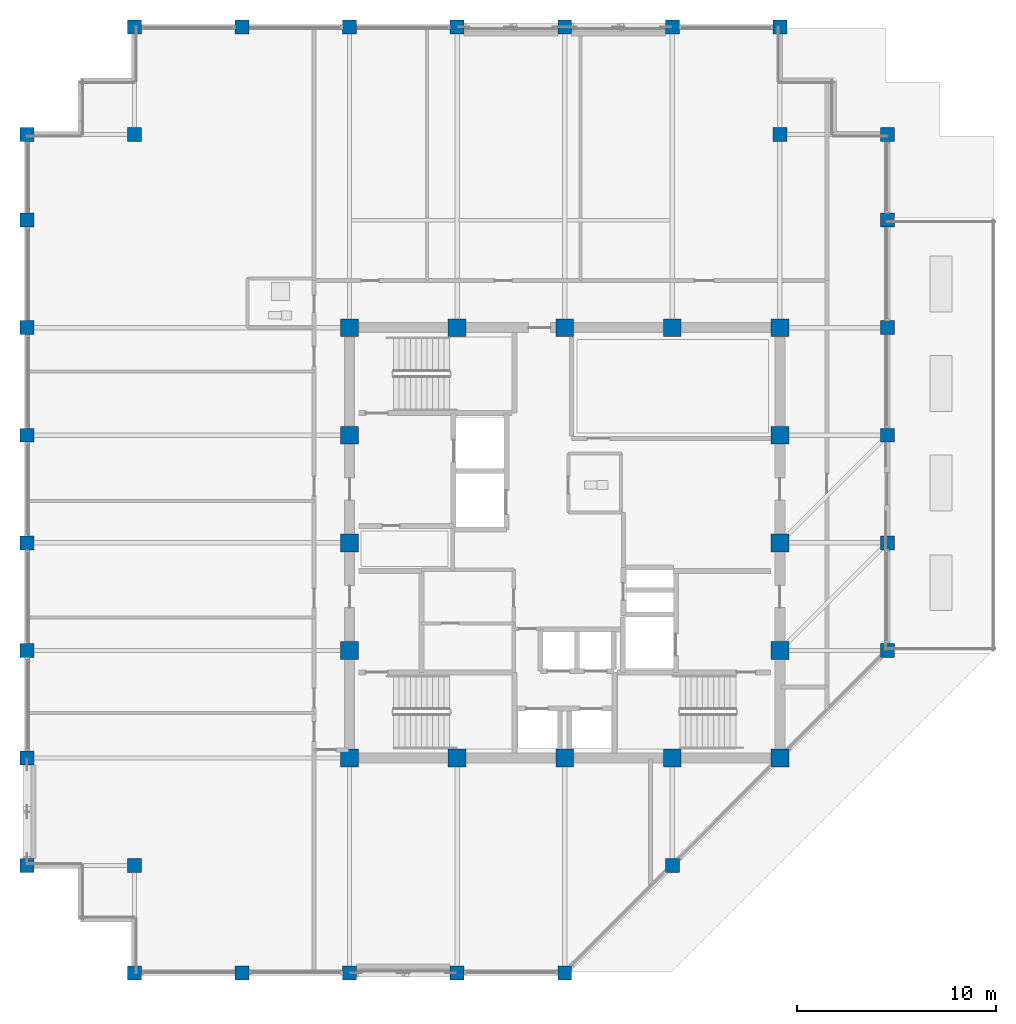
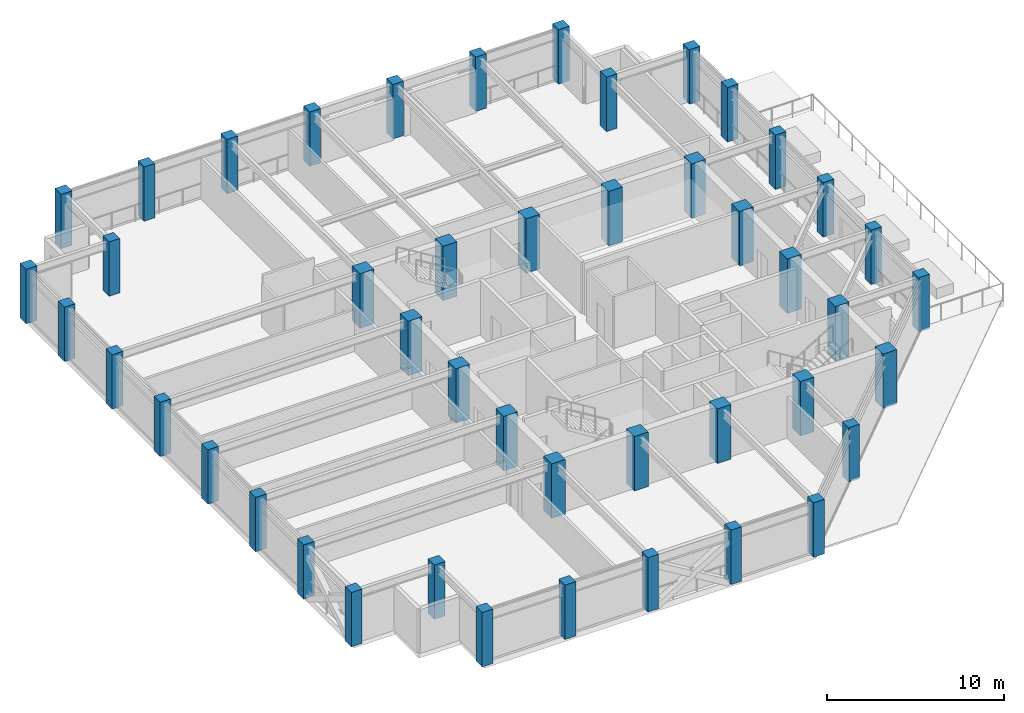
# One storey, part 1 of 34: 46 columns.
"""IFC4 building model written with IfcOpenShell, lengths in metres."""

from ifc_helpers import new_model, si_unit, direction, frame, origin, origin_2d, place, context, subcontext, project, spatial, rectangle, extrude, material, material_profile, profile_set, type_object, element, save


model = new_model("IFC4")

# Units and contexts
model_context = context("Model", 3, precision=1e-05, world=origin(), true_north=direction((0.0, 1.0)))
body_context = subcontext(model_context, "Body", "Model", "MODEL_VIEW")
ifc_project = project(units=[si_unit("LENGTHUNIT", "METRE"), si_unit("AREAUNIT", "SQUARE_METRE"), si_unit("VOLUMEUNIT", "CUBIC_METRE"), si_unit("PLANEANGLEUNIT", "RADIAN"), si_unit("MASSUNIT", "GRAM", prefix="KILO")], contexts=[model_context])

# Site, building, storey
site_placement = place(None, origin())
site = spatial("IfcSite", under=ifc_project, at=site_placement, CompositionType="ELEMENT")
building_placement = place(site_placement, origin())
building = spatial("IfcBuilding", under=site, at=building_placement, Name="Surkhivell Harbour Commons", CompositionType="ELEMENT")
storey_placement = place(building_placement, frame((0.0, 0.0, 258.75)))
storey = spatial("IfcBuildingStorey", under=building, at=storey_placement, Name="L67", CompositionType="ELEMENT", Elevation=258.75)

# Columns
ifc_material_1 = material(Name="Concrete C60/75", Category="concrete")
ifc_material_profile_1 = material_profile(ifc_material_1, rectangle(XDim=0.89990234375, YDim=0.89990234375, at=origin_2d()), Name="RC-COL-900x900")
ifc_profile_set_1 = profile_set([ifc_material_profile_1], Name="Concrete C60/75")
column_type_1 = type_object("IfcColumnType", Name="COL-TUBE-Z3A", PredefinedType="COLUMN", material=ifc_profile_set_1)
for number, where, z_axis, x_axis, name in (
    (1, (-10.800048828125, -10.800048828125, 0.0), (0.0, 0.0, 1.0), (1.0, 0.0, 0.0), "L67 Column CT-3A (-10.8,-10.8)"),
    (2, (-10.800048828125, -5.39990234375, 0.0), (0.0, 0.0, 1.0), (1.0, 0.0, 0.0), "L67 Column CT-3A (-10.8,-5.4)"),
    (3, (-10.800048828125, 0.0, 0.0), (0.0, 0.0, 1.0), (1.0, 0.0, 0.0), "L67 Column CT-3A (-10.8,0.0)"),
    (4, (-10.800048828125, 5.39990234375, 0.0), (0.0, 0.0, 1.0), (1.0, 0.0, 0.0), "L67 Column CT-3A (-10.8,5.4)"),
    (5, (-10.800048828125, 10.800048828125, 0.0), (0.0, 0.0, 1.0), (1.0, 0.0, 0.0), "L67 Column CT-3A (-10.8,10.8)"),
    (6, (-5.39990234375, -10.800048828125, 0.0), (0.0, 0.0, 1.0), (1.0, 0.0, 0.0), "L67 Column CT-3A (-5.4,-10.8)"),
    (7, (-5.39990234375, 10.800048828125, 0.0), (0.0, 0.0, 1.0), (1.0, 0.0, 0.0), "L67 Column CT-3A (-5.4,10.8)"),
    (8, (0.0, -10.800048828125, 0.0), (0.0, 0.0, 1.0), (1.0, 0.0, 0.0), "L67 Column CT-3A (0.0,-10.8)"),
    (9, (0.0, 10.800048828125, 0.0), (0.0, 0.0, 1.0), (1.0, 0.0, 0.0), "L67 Column CT-3A (0.0,10.8)"),
    (10, (5.39990234375, -10.800048828125, 0.0), (0.0, 0.0, 1.0), (1.0, 0.0, 0.0), "L67 Column CT-3A (5.4,-10.8)"),
    (11, (5.39990234375, 10.800048828125, 0.0), (0.0, 0.0, 1.0), (1.0, 0.0, 0.0), "L67 Column CT-3A (5.4,10.8)"),
    (12, (10.800048828125, -10.800048828125, 0.0), (0.0, 0.0, 1.0), (1.0, 0.0, 0.0), "L67 Column CT-3A (10.8,-10.8)"),
    (13, (10.800048828125, -5.39990234375, 0.0), (0.0, 0.0, 1.0), (1.0, 0.0, 0.0), "L67 Column CT-3A (10.8,-5.4)"),
    (14, (10.800048828125, 0.0, 0.0), (0.0, 0.0, 1.0), (1.0, 0.0, 0.0), "L67 Column CT-3A (10.8,0.0)"),
    (15, (10.800048828125, 5.39990234375, 0.0), (0.0, 0.0, 1.0), (1.0, 0.0, 0.0), "L67 Column CT-3A (10.8,5.4)"),
    (16, (10.800048828125, 10.800048828125, 0.0), (0.0, 0.0, 1.0), (1.0, 0.0, 0.0), "L67 Column CT-3A (10.8,10.8)"),
):
    element("IfcColumn", number, at=place(storey_placement, frame(where, z_axis=z_axis, x_axis=x_axis)), inside=storey, type_object=column_type_1, Name=name, PredefinedType="COLUMN", context=body_context, shape_type="SweptSolid", body=[
        extrude(rectangle(XDim=0.89990234375, YDim=0.89990234375, at=origin_2d()), origin(), (0.0, 0.0, 1.0), 3.75),
    ])
ifc_material_2 = material(Name="Concrete C50/60", Category="concrete")
ifc_material_profile_2 = material_profile(ifc_material_2, rectangle(XDim=0.699951171875, YDim=0.699951171875, at=origin_2d()), Name="RC-COL-700x700")
ifc_profile_set_2 = profile_set([ifc_material_profile_2], Name="Concrete C50/60")
column_type_2 = type_object("IfcColumnType", Name="COL-TUBE-Z4", PredefinedType="COLUMN", material=ifc_profile_set_2)
for number, where, z_axis, x_axis, name in (
    (17, (-27.0, -16.199951171875, 0.0), (0.0, 0.0, 1.0), (1.0, 0.0, 0.0), "L67 Column CT-4 (-27.0,-16.2)"),
    (18, (-27.0, -10.800048828125, 0.0), (0.0, 0.0, 1.0), (1.0, 0.0, 0.0), "L67 Column CT-4 (-27.0,-10.8)"),
    (19, (-27.0, -5.39990234375, 0.0), (0.0, 0.0, 1.0), (1.0, 0.0, 0.0), "L67 Column CT-4 (-27.0,-5.4)"),
    (20, (-27.0, 0.0, 0.0), (0.0, 0.0, 1.0), (1.0, 0.0, 0.0), "L67 Column CT-4 (-27.0,0.0)"),
    (21, (-27.0, 5.39990234375, 0.0), (0.0, 0.0, 1.0), (1.0, 0.0, 0.0), "L67 Column CT-4 (-27.0,5.4)"),
    (22, (-27.0, 10.800048828125, 0.0), (0.0, 0.0, 1.0), (1.0, 0.0, 0.0), "L67 Column CT-4 (-27.0,10.8)"),
    (23, (-27.0, 16.199951171875, 0.0), (0.0, 0.0, 1.0), (1.0, 0.0, 0.0), "L67 Column CT-4 (-27.0,16.2)"),
    (24, (-27.0, 20.5, 0.0), (0.0, 0.0, 1.0), (1.0, 0.0, 0.0), "L67 Column CT-4 (-27.0,20.5)"),
    (25, (-21.60009765625, -21.60009765625, 0.0), (0.0, 0.0, 1.0), (1.0, 0.0, 0.0), "L67 Column CT-4 (-21.6,-21.6)"),
    (26, (-21.60009765625, -16.199951171875, 0.0), (0.0, 0.0, 1.0), (1.0, 0.0, 0.0), "L67 Column CT-4 (-21.6,-16.2)"),
    (27, (-21.60009765625, 20.5, 0.0), (0.0, 0.0, 1.0), (1.0, 0.0, 0.0), "L67 Column CT-4 (-21.6,20.5)"),
    (28, (-21.60009765625, 25.89990234375, 0.0), (0.0, 0.0, 1.0), (1.0, 0.0, 0.0), "L67 Column CT-4 (-21.6,25.9)"),
    (29, (-16.199951171875, -21.60009765625, 0.0), (0.0, 0.0, 1.0), (1.0, 0.0, 0.0), "L67 Column CT-4 (-16.2,-21.6)"),
    (30, (-16.199951171875, 25.89990234375, 0.0), (0.0, 0.0, 1.0), (1.0, 0.0, 0.0), "L67 Column CT-4 (-16.2,25.9)"),
    (31, (-10.800048828125, -21.60009765625, 0.0), (0.0, 0.0, 1.0), (1.0, 0.0, 0.0), "L67 Column CT-4 (-10.8,-21.6)"),
    (32, (-10.800048828125, 25.89990234375, 0.0), (0.0, 0.0, 1.0), (1.0, 0.0, 0.0), "L67 Column CT-4 (-10.8,25.9)"),
    (33, (-5.39990234375, -21.60009765625, 0.0), (0.0, 0.0, 1.0), (1.0, 0.0, 0.0), "L67 Column CT-4 (-5.4,-21.6)"),
    (34, (-5.39990234375, 25.89990234375, 0.0), (0.0, 0.0, 1.0), (1.0, 0.0, 0.0), "L67 Column CT-4 (-5.4,25.9)"),
    (35, (0.0, -21.60009765625, 0.0), (0.0, 0.0, 1.0), (1.0, 0.0, 0.0), "L67 Column CT-4 (-0.0,-21.6)"),
    (36, (0.0, 25.89990234375, 0.0), (0.0, 0.0, 1.0), (1.0, 0.0, 0.0), "L67 Column CT-4 (-0.0,25.9)"),
    (37, (5.39990234375, -16.199951171875, 0.0), (0.0, 0.0, 1.0), (1.0, 0.0, 0.0), "L67 Column CT-4 (5.4,-16.2)"),
    (38, (5.39990234375, 25.89990234375, 0.0), (0.0, 0.0, 1.0), (1.0, 0.0, 0.0), "L67 Column CT-4 (5.4,25.9)"),
    (39, (10.800048828125, 20.5, 0.0), (0.0, 0.0, 1.0), (1.0, 0.0, 0.0), "L67 Column CT-4 (10.8,20.5)"),
    (40, (10.800048828125, 25.89990234375, 0.0), (0.0, 0.0, 1.0), (1.0, 0.0, 0.0), "L67 Column CT-4 (10.8,25.9)"),
    (41, (16.199951171875, -5.39990234375, 0.0), (0.0, 0.0, 1.0), (1.0, 0.0, 0.0), "L67 Column CT-4 (16.2,-5.4)"),
    (42, (16.199951171875, 0.0, 0.0), (0.0, 0.0, 1.0), (1.0, 0.0, 0.0), "L67 Column CT-4 (16.2,0.0)"),
    (43, (16.199951171875, 5.39990234375, 0.0), (0.0, 0.0, 1.0), (1.0, 0.0, 0.0), "L67 Column CT-4 (16.2,5.4)"),
    (44, (16.199951171875, 10.800048828125, 0.0), (0.0, 0.0, 1.0), (1.0, 0.0, 0.0), "L67 Column CT-4 (16.2,10.8)"),
    (45, (16.199951171875, 16.199951171875, 0.0), (0.0, 0.0, 1.0), (1.0, 0.0, 0.0), "L67 Column CT-4 (16.2,16.2)"),
    (46, (16.199951171875, 20.5, 0.0), (0.0, 0.0, 1.0), (1.0, 0.0, 0.0), "L67 Column CT-4 (16.2,20.5)"),
):
    element("IfcColumn", number, at=place(storey_placement, frame(where, z_axis=z_axis, x_axis=x_axis)), inside=storey, type_object=column_type_2, Name=name, PredefinedType="COLUMN", context=body_context, shape_type="SweptSolid", body=[
        extrude(rectangle(XDim=0.699951171875, YDim=0.699951171875, at=origin_2d()), origin(), (0.0, 0.0, 1.0), 3.75),
    ])

save(model, "model.ifc")
